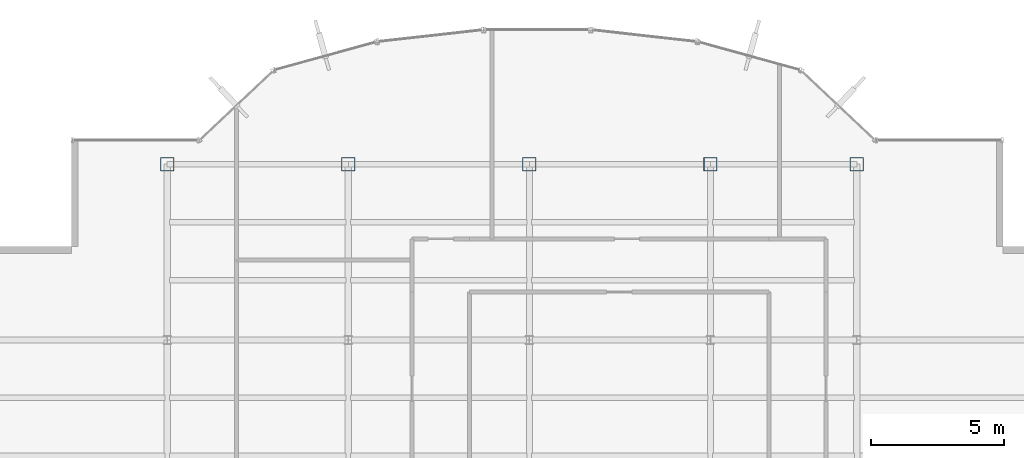
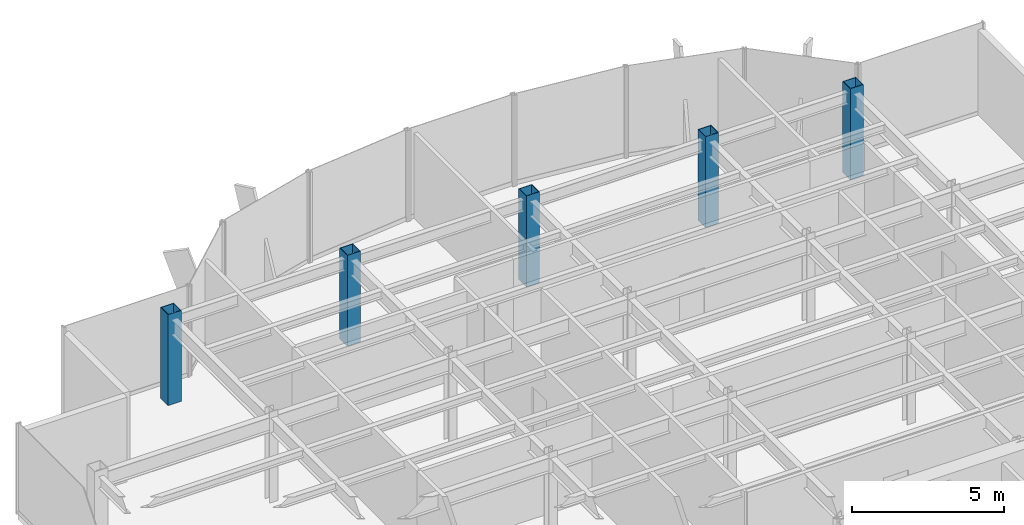
# One storey, part 2 of 22: 5 columns.
"""IFC4 building model written with IfcOpenShell, lengths in metres."""

from ifc_helpers import new_model, si_unit, derived_unit, direction, frame, origin, origin_2d, place, context, subcontext, project, spatial, hollow_rectangle, extrude, source, transform, mapped, material, material_profile, profile_set, type_object, element, save


model = new_model("IFC4")

# Units and contexts
model_context = context("Model", 3, precision=1e-05, world=origin(), true_north=direction((0.0, 1.0)))
body_context = subcontext(model_context, "Body", "Model", "MODEL_VIEW")
ifc_project = project(units=[si_unit("LENGTHUNIT", "METRE"), si_unit("AREAUNIT", "SQUARE_METRE"), si_unit("VOLUMEUNIT", "CUBIC_METRE"), si_unit("PLANEANGLEUNIT", "RADIAN"), si_unit("MASSUNIT", "GRAM", prefix="KILO"), derived_unit("THERMALTRANSMITTANCEUNIT", [(si_unit("POWERUNIT", "WATT"), 1), (si_unit("LENGTHUNIT", "METRE"), -2), (si_unit("THERMODYNAMICTEMPERATUREUNIT", "KELVIN"), -1)])], contexts=[model_context])

# Site, building, storey
site_placement = place(None, origin())
site = spatial("IfcSite", under=ifc_project, at=site_placement, CompositionType="ELEMENT")
building_placement = place(site_placement, origin())
building = spatial("IfcBuilding", under=site, at=building_placement, Name="Skarnbrae Concourse Arena and Tower", CompositionType="ELEMENT")
storey_placement = place(building_placement, frame((0.0, 0.0, 269.75)))
storey = spatial("IfcBuildingStorey", under=building, at=storey_placement, Name="L70", CompositionType="ELEMENT", Elevation=269.75)

# Columns
ifc_material = material(Name="Steel CSA G40.21 350W", Category="steel")
ifc_material_profile = material_profile(ifc_material, hollow_rectangle(XDim=0.5, YDim=0.5, WallThickness=0.02197265625, at=origin_2d()), Name="HSS500X500X22.0")
ifc_profile_set = profile_set([ifc_material_profile], Name="Steel CSA G40.21 350W")
column_type = type_object("IfcColumnType", Name="COL-TUBE-HSS500", PredefinedType="COLUMN", material=ifc_profile_set)
shared_shape = source(origin(), body_context, "Body", "SweptSolid", [
    extrude(hollow_rectangle(XDim=0.5, YDim=0.5, WallThickness=0.02197265625, at=origin_2d()), origin(), (0.0, 0.0, 1.0), 3.64990234375),
])
for number, where, z_axis, x_axis, name in (
    (1, (7.60009765625, 34.39990234375, 0.0), (0.0, 0.0, 1.0), (1.0, 0.0, 0.0), "L70 Tower column PC_02_05"),
    (2, (14.39990234375, 34.39990234375, 0.0), (0.0, 0.0, 1.0), (1.0, 0.0, 0.0), "L70 Tower column PC_03_05"),
    (3, (21.199951171875, 34.39990234375, 0.0), (0.0, 0.0, 1.0), (1.0, 0.0, 0.0), "L70 Tower column PC_04_05"),
    (4, (28.0, 34.39990234375, 0.0), (0.0, 0.0, 1.0), (1.0, 0.0, 0.0), "L70 Tower column PC_05_05"),
    (5, (33.5, 34.39990234375, 0.0), (0.0, 0.0, 1.0), (1.0, 0.0, 0.0), "L70 Tower column PC_06_05"),
):
    element("IfcColumn", number, at=place(storey_placement, frame(where, z_axis=z_axis, x_axis=x_axis)), inside=storey, type_object=column_type, Name=name, PredefinedType="COLUMN", context=body_context, shape_type="MappedRepresentation", body=[
        mapped(shared_shape, transform((0.0, 0.0, 0.0))),
    ])

save(model, "model.ifc")
